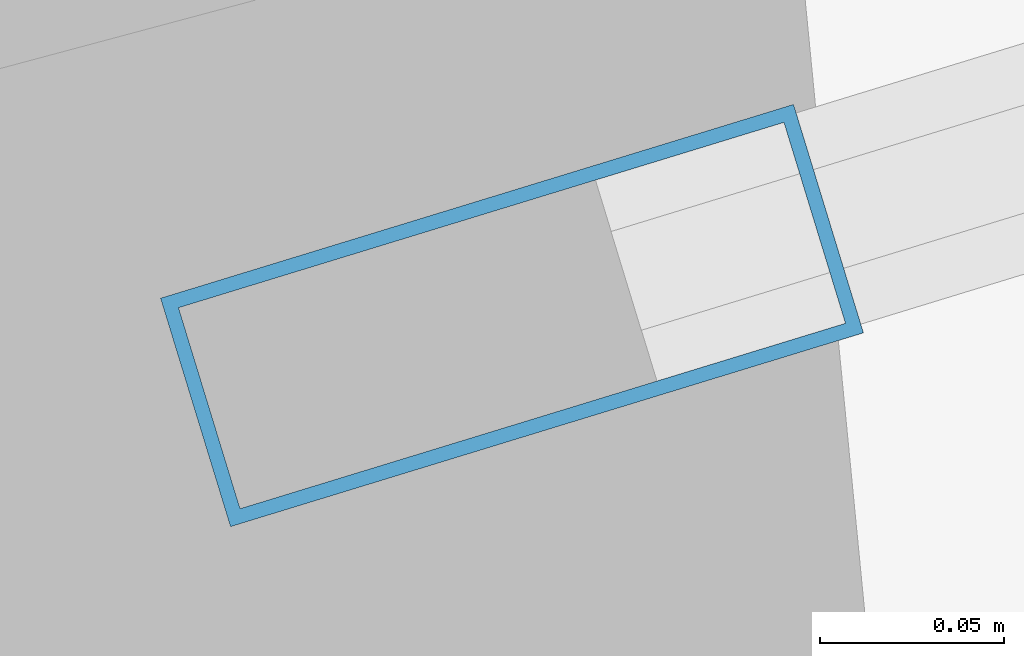
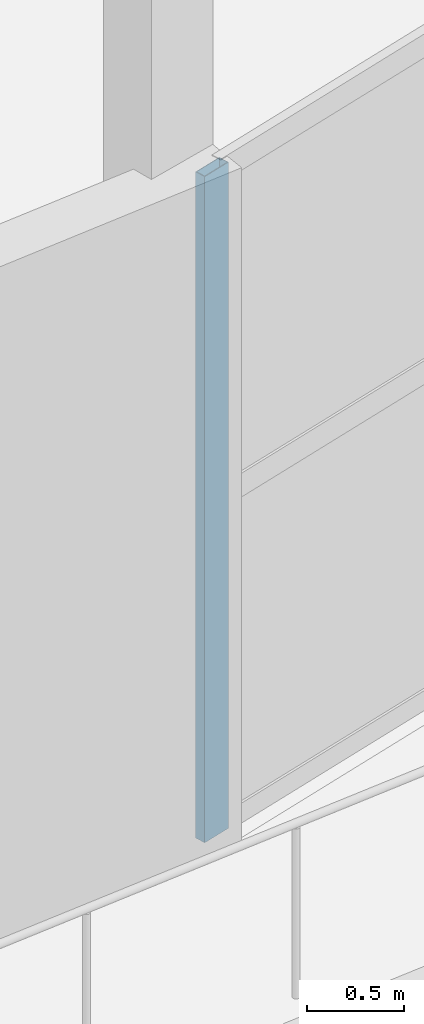
# One storey, part 34 of 123: 1 member, 1 element without a shape of its own.
"""IFC4 building model written with IfcOpenShell, lengths in metres."""

from ifc_helpers import new_model, si_unit, direction, frame, origin, origin_2d, place, context, subcontext, project, spatial, hollow_rectangle, extrude, material, layer, layer_set, material_profile, profile_set, type_object, element, aggregate, save


model = new_model("IFC4")

# Units and contexts
model_context = context("Model", 3, precision=1e-05, world=origin(), true_north=direction((0.0, 1.0)))
body_context = subcontext(model_context, "Body", "Model", "MODEL_VIEW")
ifc_project = project(units=[si_unit("LENGTHUNIT", "METRE"), si_unit("AREAUNIT", "SQUARE_METRE"), si_unit("VOLUMEUNIT", "CUBIC_METRE"), si_unit("PLANEANGLEUNIT", "RADIAN"), si_unit("MASSUNIT", "GRAM", prefix="KILO")], contexts=[model_context])

# Site, building, storey
site_placement = place(None, origin())
site = spatial("IfcSite", under=ifc_project, at=site_placement, CompositionType="ELEMENT")
building_placement = place(site_placement, origin())
building = spatial("IfcBuilding", under=site, at=building_placement, Name="Kalgoora Escarpment Arena", CompositionType="ELEMENT")
storey_placement = place(building_placement, frame((0.0, 0.0, 9.89990234375)))
storey = spatial("IfcBuildingStorey", under=building, at=storey_placement, Name="L02", CompositionType="ELEMENT", Elevation=9.89990234375)

# Curtain wall, member
ifc_material_1 = material(Name=" Champagne anodised aluminium & double-glazed low-E", Category="aluminium")
ifc_layer = layer(ifc_material_1, 0.157958984375)
ifc_layer_set = layer_set([ifc_layer], Name="CW-UNIT-07")
curtain_wall_type = type_object("IfcCurtainWallType", Name="CW-UNIT-07", PredefinedType="NOTDEFINED", material=ifc_layer_set)
curtain_wall_placement = place(storey_placement, origin())
curtain_wall = element("IfcCurtainWall", 1, at=curtain_wall_placement, inside=storey, type_object=curtain_wall_type, Name="L02 unitised facade curtain wall 046", PredefinedType="NOTDEFINED")
ifc_material_2 = material(Name="Anodised aluminium 6063-T6", Category="aluminium")
ifc_material_profile = material_profile(ifc_material_2, hollow_rectangle(XDim=0.06494140625, YDim=0.179931640625, WallThickness=0.00390625, at=origin_2d()))
ifc_profile_set = profile_set([ifc_material_profile], Name="Anodised aluminium 6063-T6")
member_type = type_object("IfcMemberType", Name="MEM-CW-MULL-180", PredefinedType="MULLION", material=ifc_profile_set)
member_placement = place(storey_placement, frame((113.9111328125, 5.03564453125, 0.02001953125), z_axis=(0.0, 0.0, 1.0), x_axis=(0.29274500326, -0.956190547467, 0.0)))
member = element("IfcMember", 2, at=member_placement, type_object=member_type, Name="CW-07 mullion 3", PredefinedType="MULLION", context=body_context, shape_type="SweptSolid", body=[
    extrude(hollow_rectangle(XDim=0.06494140625, YDim=0.179931640625, WallThickness=0.00390625, at=origin_2d()), origin(), (0.0, 0.0, 1.0), 4.205078125),
])
aggregate(curtain_wall, [member])

save(model, "model.ifc")
